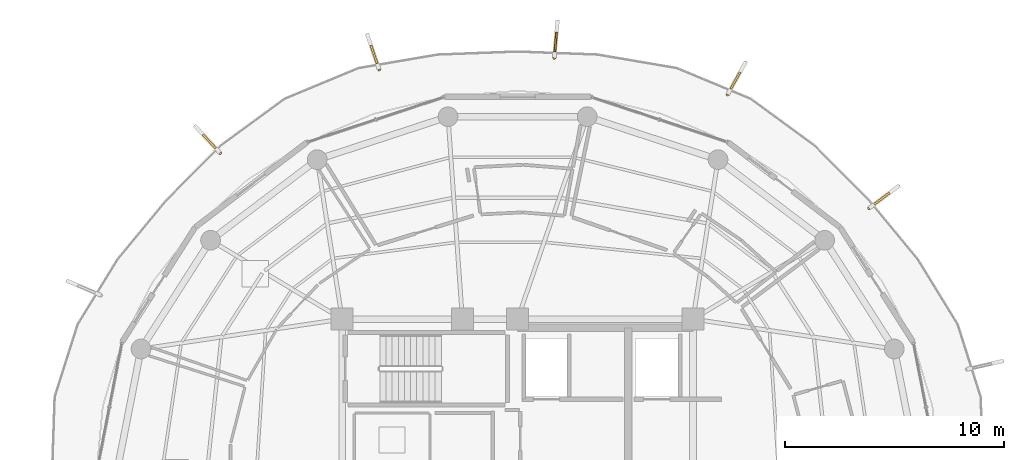
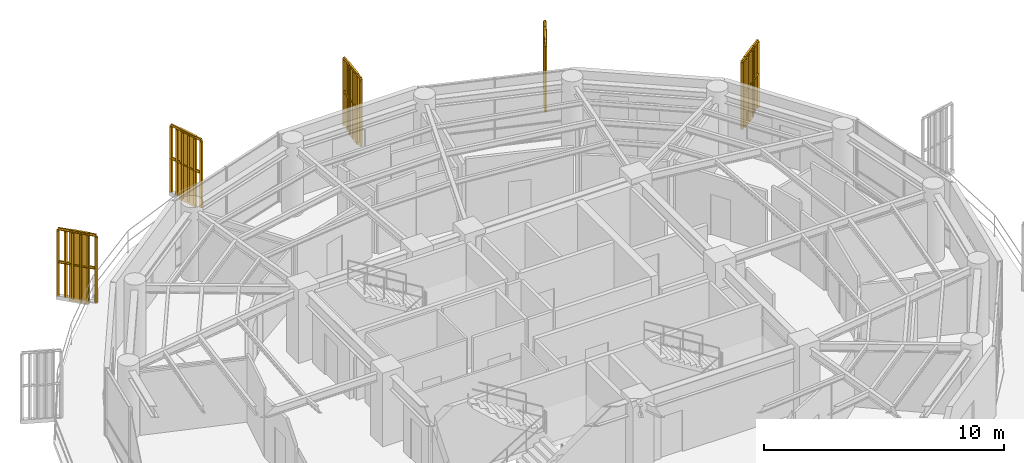
# One storey, part 23 of 23: 5 railings, 5 shading devices.
"""IFC4 building model written with IfcOpenShell, lengths in metres."""

from ifc_helpers import new_model, si_unit, direction, frame, origin, origin_2d, place, context, subcontext, project, spatial, polyline, rectangle, outline, extrude, source, transform, mapped, material, type_object, element, save


model = new_model("IFC4")

# Units and contexts
model_context = context("Model", 3, precision=1e-05, world=origin(), true_north=direction((0.0, 1.0)))
body_context = subcontext(model_context, "Body", "Model", "MODEL_VIEW")
ifc_project = project(units=[si_unit("LENGTHUNIT", "METRE"), si_unit("AREAUNIT", "SQUARE_METRE"), si_unit("VOLUMEUNIT", "CUBIC_METRE"), si_unit("PLANEANGLEUNIT", "RADIAN"), si_unit("MASSUNIT", "GRAM", prefix="KILO")], contexts=[model_context])

# Site, building, storey
site_placement = place(None, origin())
site = spatial("IfcSite", under=ifc_project, at=site_placement, CompositionType="ELEMENT")
building_placement = place(site_placement, origin())
building = spatial("IfcBuilding", under=site, at=building_placement, Name="Kelanora Arch Commons", CompositionType="ELEMENT")
storey_placement = place(building_placement, frame((0.0, 0.0, 252.449951171875)))
storey = spatial("IfcBuildingStorey", under=building, at=storey_placement, Name="L64", CompositionType="ELEMENT", Elevation=252.449951171875)

# Railings
ifc_material_1 = material(Name="Anodised bronze vertical shading fin rib assembly")
railing_type = type_object("IfcRailingType", Name="RAIL-FIN-BRZ", PredefinedType="BALUSTRADE", material=ifc_material_1)
railing_1_placement = place(storey_placement, frame((90.0361328125, 70.061279296875, -0.02001953125)))
element("IfcRailing", 1, at=railing_1_placement, inside=storey, type_object=railing_type, Name="Sweeping Bronze Vertical Fin Blade L64-03", PredefinedType="BALUSTRADE", context=body_context, shape_type="SweptSolid", body=[
    extrude(outline(polyline([(0.06982421875, 0.0), (0.034912109375, 0.060546875), (-0.034912109375, 0.060546875), (-0.06982421875, 0.0), (-0.034912109375, -0.060546875), (0.034912109375, -0.060546875), (0.06982421875, 0.0)])), frame((0.0, 0.0, 3.419921875), z_axis=(0.799169311125, 0.601105990784, 0.0), x_axis=(-0.601105990784, 0.799169311125, 0.0)), (0.0, 0.0, 1.0), 1.6591796875),
    extrude(outline(polyline([(0.06982421875, 0.0), (0.034912109375, 0.060546875), (-0.034912109375, 0.060546875), (-0.06982421875, 0.0), (-0.034912109375, -0.060546875), (0.034912109375, -0.060546875), (0.06982421875, 0.0)])), frame((0.0, 0.0, 1.7451171875), z_axis=(0.799169311125, 0.601105990784, 0.0), x_axis=(-0.601105990784, 0.799169311125, 0.0)), (0.0, 0.0, 1.0), 1.6591796875),
    extrude(outline(polyline([(0.080078125, 0.0), (0.0400390625, 0.0693359375), (-0.0400390625, 0.0693359375), (-0.080078125, 0.0), (-0.0400390625, -0.0693359375), (0.0400390625, -0.0693359375), (0.080078125, 0.0)])), origin(), (0.0, 0.0, 1.0), 3.35009765625),
    extrude(outline(polyline([(0.080078125, 0.0), (0.0400390625, 0.0693359375), (-0.0400390625, 0.0693359375), (-0.080078125, 0.0), (-0.0400390625, -0.0693359375), (0.0400390625, -0.0693359375), (0.080078125, 0.0)])), frame((0.26513671875, 0.199462890625, 0.0)), (0.0, 0.0, 1.0), 3.35009765625),
    extrude(outline(polyline([(0.080078125, 0.0), (0.0400390625, 0.0693359375), (-0.0400390625, 0.0693359375), (-0.080078125, 0.0), (-0.0400390625, -0.0693359375), (0.0400390625, -0.0693359375), (0.080078125, 0.0)])), frame((0.5302734375, 0.39892578125, 0.0)), (0.0, 0.0, 1.0), 3.35009765625),
    extrude(outline(polyline([(0.080078125, 0.0), (0.0400390625, 0.0693359375), (-0.0400390625, 0.0693359375), (-0.080078125, 0.0), (-0.0400390625, -0.0693359375), (0.0400390625, -0.0693359375), (0.080078125, 0.0)])), frame((0.795654296875, 0.598388671875, 0.0)), (0.0, 0.0, 1.0), 3.35009765625),
    extrude(outline(polyline([(0.080078125, 0.0), (0.0400390625, 0.0693359375), (-0.0400390625, 0.0693359375), (-0.080078125, 0.0), (-0.0400390625, -0.0693359375), (0.0400390625, -0.0693359375), (0.080078125, 0.0)])), frame((1.060791015625, 0.7978515625, 0.0)), (0.0, 0.0, 1.0), 3.35009765625),
    extrude(outline(polyline([(0.080078125, 0.0), (0.0400390625, 0.0693359375), (-0.0400390625, 0.0693359375), (-0.080078125, 0.0), (-0.0400390625, -0.0693359375), (0.0400390625, -0.0693359375), (0.080078125, 0.0)])), frame((1.325927734375, 0.997314453125, 0.0)), (0.0, 0.0, 1.0), 3.35009765625),
])
railing_2_placement = place(storey_placement, frame((83.580322265625, 75.24658203125, -0.02001953125)))
element("IfcRailing", 2, at=railing_2_placement, inside=storey, type_object=railing_type, Name="Sweeping Bronze Vertical Fin Blade L64-04", PredefinedType="BALUSTRADE", context=body_context, shape_type="SweptSolid", body=[
    extrude(outline(polyline([(0.06982421875, 0.0), (0.034912109375, 0.060546875), (-0.034912109375, 0.060546875), (-0.06982421875, 0.0), (-0.034912109375, -0.060546875), (0.034912109375, -0.060546875), (0.06982421875, 0.0)])), frame((0.0, 0.0, 3.419921875), z_axis=(0.485580462469, 0.874191978039, 0.0), x_axis=(-0.874191978039, 0.485580462469, 0.0)), (0.0, 0.0, 1.0), 1.6591796875),
    extrude(outline(polyline([(0.06982421875, 0.0), (0.034912109375, 0.060546875), (-0.034912109375, 0.060546875), (-0.06982421875, 0.0), (-0.034912109375, -0.060546875), (0.034912109375, -0.060546875), (0.06982421875, 0.0)])), frame((0.0, 0.0, 1.7451171875), z_axis=(0.485580462469, 0.874191978039, 0.0), x_axis=(-0.874191978039, 0.485580462469, 0.0)), (0.0, 0.0, 1.0), 1.6591796875),
    extrude(outline(polyline([(0.080078125, 0.0), (0.0400390625, 0.0693359375), (-0.0400390625, 0.0693359375), (-0.080078125, 0.0), (-0.0400390625, -0.0693359375), (0.0400390625, -0.0693359375), (0.080078125, 0.0)])), origin(), (0.0, 0.0, 1.0), 3.35009765625),
    extrude(outline(polyline([(0.080078125, 0.0), (0.0400390625, 0.0693359375), (-0.0400390625, 0.0693359375), (-0.080078125, 0.0), (-0.0400390625, -0.0693359375), (0.0400390625, -0.0693359375), (0.080078125, 0.0)])), frame((0.1611328125, 0.2900390625, 0.0)), (0.0, 0.0, 1.0), 3.35009765625),
    extrude(outline(polyline([(0.080078125, 0.0), (0.0400390625, 0.0693359375), (-0.0400390625, 0.0693359375), (-0.080078125, 0.0), (-0.0400390625, -0.0693359375), (0.0400390625, -0.0693359375), (0.080078125, 0.0)])), frame((0.322265625, 0.580078125, 0.0)), (0.0, 0.0, 1.0), 3.35009765625),
    extrude(outline(polyline([(0.080078125, 0.0), (0.0400390625, 0.0693359375), (-0.0400390625, 0.0693359375), (-0.080078125, 0.0), (-0.0400390625, -0.0693359375), (0.0400390625, -0.0693359375), (0.080078125, 0.0)])), frame((0.4833984375, 0.870361328125, 0.0)), (0.0, 0.0, 1.0), 3.35009765625),
    extrude(outline(polyline([(0.080078125, 0.0), (0.0400390625, 0.0693359375), (-0.0400390625, 0.0693359375), (-0.080078125, 0.0), (-0.0400390625, -0.0693359375), (0.0400390625, -0.0693359375), (0.080078125, 0.0)])), frame((0.64453125, 1.160400390625, 0.0)), (0.0, 0.0, 1.0), 3.35009765625),
    extrude(outline(polyline([(0.080078125, 0.0), (0.0400390625, 0.0693359375), (-0.0400390625, 0.0693359375), (-0.080078125, 0.0), (-0.0400390625, -0.0693359375), (0.0400390625, -0.0693359375), (0.080078125, 0.0)])), frame((0.8056640625, 1.450439453125, 0.0)), (0.0, 0.0, 1.0), 3.35009765625),
])
railing_3_placement = place(storey_placement, frame((75.672607421875, 76.91845703125, -0.02001953125)))
element("IfcRailing", 3, at=railing_3_placement, inside=storey, type_object=railing_type, Name="Sweeping Bronze Vertical Fin Blade L64-05", PredefinedType="BALUSTRADE", context=body_context, shape_type="SweptSolid", body=[
    extrude(outline(polyline([(0.06982421875, 0.0), (0.034912109375, 0.060546875), (-0.034912109375, 0.060546875), (-0.06982421875, 0.0), (-0.034912109375, -0.060546875), (0.034912109375, -0.060546875), (0.06982421875, 0.0)])), frame((0.0, 0.0, 3.419921875), z_axis=(0.087988281077, 0.996121509854, 0.0), x_axis=(-0.996121509854, 0.087988281077, 0.0)), (0.0, 0.0, 1.0), 1.6591796875),
    extrude(outline(polyline([(0.06982421875, 0.0), (0.034912109375, 0.060546875), (-0.034912109375, 0.060546875), (-0.06982421875, 0.0), (-0.034912109375, -0.060546875), (0.034912109375, -0.060546875), (0.06982421875, 0.0)])), frame((0.0, 0.0, 1.7451171875), z_axis=(0.087988281077, 0.996121509854, 0.0), x_axis=(-0.996121509854, 0.087988281077, 0.0)), (0.0, 0.0, 1.0), 1.6591796875),
    extrude(outline(polyline([(0.080078125, 0.0), (0.0400390625, 0.0693359375), (-0.0400390625, 0.0693359375), (-0.080078125, 0.0), (-0.0400390625, -0.0693359375), (0.0400390625, -0.0693359375), (0.080078125, 0.0)])), origin(), (0.0, 0.0, 1.0), 3.35009765625),
    extrude(outline(polyline([(0.080078125, 0.0), (0.0400390625, 0.0693359375), (-0.0400390625, 0.0693359375), (-0.080078125, 0.0), (-0.0400390625, -0.0693359375), (0.0400390625, -0.0693359375), (0.080078125, 0.0)])), frame((0.029296875, 0.33056640625, 0.0)), (0.0, 0.0, 1.0), 3.35009765625),
    extrude(outline(polyline([(0.080078125, 0.0), (0.0400390625, 0.0693359375), (-0.0400390625, 0.0693359375), (-0.080078125, 0.0), (-0.0400390625, -0.0693359375), (0.0400390625, -0.0693359375), (0.080078125, 0.0)])), frame((0.058349609375, 0.6611328125, 0.0)), (0.0, 0.0, 1.0), 3.35009765625),
    extrude(outline(polyline([(0.080078125, 0.0), (0.0400390625, 0.0693359375), (-0.0400390625, 0.0693359375), (-0.080078125, 0.0), (-0.0400390625, -0.0693359375), (0.0400390625, -0.0693359375), (0.080078125, 0.0)])), frame((0.087646484375, 0.99169921875, 0.0)), (0.0, 0.0, 1.0), 3.35009765625),
    extrude(outline(polyline([(0.080078125, 0.0), (0.0400390625, 0.0693359375), (-0.0400390625, 0.0693359375), (-0.080078125, 0.0), (-0.0400390625, -0.0693359375), (0.0400390625, -0.0693359375), (0.080078125, 0.0)])), frame((0.11669921875, 1.322265625, 0.0)), (0.0, 0.0, 1.0), 3.35009765625),
    extrude(outline(polyline([(0.080078125, 0.0), (0.0400390625, 0.0693359375), (-0.0400390625, 0.0693359375), (-0.080078125, 0.0), (-0.0400390625, -0.0693359375), (0.0400390625, -0.0693359375), (0.080078125, 0.0)])), frame((0.14599609375, 1.65283203125, 0.0)), (0.0, 0.0, 1.0), 3.35009765625),
])
railing_4_placement = place(storey_placement, frame((67.68701171875, 76.388671875, -0.02001953125)))
element("IfcRailing", 4, at=railing_4_placement, inside=storey, type_object=railing_type, Name="Sweeping Bronze Vertical Fin Blade L64-06", PredefinedType="BALUSTRADE", context=body_context, shape_type="SweptSolid", body=[
    extrude(outline(polyline([(0.06982421875, 0.0), (0.034912109375, 0.060546875), (-0.034912109375, 0.060546875), (-0.06982421875, 0.0), (-0.034912109375, -0.060546875), (0.034912109375, -0.060546875), (0.06982421875, 0.0)])), frame((0.0, 0.0, 3.419921875), z_axis=(-0.324734325107, 0.945805274936, 0.0), x_axis=(-0.945805274936, -0.324734325107, 0.0)), (0.0, 0.0, 1.0), 1.6591796875),
    extrude(outline(polyline([(0.06982421875, 0.0), (0.034912109375, 0.060546875), (-0.034912109375, 0.060546875), (-0.06982421875, 0.0), (-0.034912109375, -0.060546875), (0.034912109375, -0.060546875), (0.06982421875, 0.0)])), frame((0.0, 0.0, 1.7451171875), z_axis=(-0.324734325107, 0.945805274936, 0.0), x_axis=(-0.945805274936, -0.324734325107, 0.0)), (0.0, 0.0, 1.0), 1.6591796875),
    extrude(outline(polyline([(0.080078125, 0.0), (0.0400390625, 0.0693359375), (-0.0400390625, 0.0693359375), (-0.080078125, 0.0), (-0.0400390625, -0.0693359375), (0.0400390625, -0.0693359375), (0.080078125, 0.0)])), origin(), (0.0, 0.0, 1.0), 3.35009765625),
    extrude(outline(polyline([(0.080078125, 0.0), (0.0400390625, 0.0693359375), (-0.0400390625, 0.0693359375), (-0.080078125, 0.0), (-0.0400390625, -0.0693359375), (0.0400390625, -0.0693359375), (0.080078125, 0.0)])), frame((-0.107666015625, 0.31396484375, 0.0)), (0.0, 0.0, 1.0), 3.35009765625),
    extrude(outline(polyline([(0.080078125, 0.0), (0.0400390625, 0.0693359375), (-0.0400390625, 0.0693359375), (-0.080078125, 0.0), (-0.0400390625, -0.0693359375), (0.0400390625, -0.0693359375), (0.080078125, 0.0)])), frame((-0.215576171875, 0.627685546875, 0.0)), (0.0, 0.0, 1.0), 3.35009765625),
    extrude(outline(polyline([(0.080078125, 0.0), (0.0400390625, 0.0693359375), (-0.0400390625, 0.0693359375), (-0.080078125, 0.0), (-0.0400390625, -0.0693359375), (0.0400390625, -0.0693359375), (0.080078125, 0.0)])), frame((-0.3232421875, 0.941650390625, 0.0)), (0.0, 0.0, 1.0), 3.35009765625),
    extrude(outline(polyline([(0.080078125, 0.0), (0.0400390625, 0.0693359375), (-0.0400390625, 0.0693359375), (-0.080078125, 0.0), (-0.0400390625, -0.0693359375), (0.0400390625, -0.0693359375), (0.080078125, 0.0)])), frame((-0.43115234375, 1.25537109375, 0.0)), (0.0, 0.0, 1.0), 3.35009765625),
    extrude(outline(polyline([(0.080078125, 0.0), (0.0400390625, 0.0693359375), (-0.0400390625, 0.0693359375), (-0.080078125, 0.0), (-0.0400390625, -0.0693359375), (0.0400390625, -0.0693359375), (0.080078125, 0.0)])), frame((-0.538818359375, 1.5693359375, 0.0)), (0.0, 0.0, 1.0), 3.35009765625),
])
railing_5_placement = place(storey_placement, frame((60.429931640625, 72.57861328125, -0.02001953125)))
element("IfcRailing", 5, at=railing_5_placement, inside=storey, type_object=railing_type, Name="Sweeping Bronze Vertical Fin Blade L64-07", PredefinedType="BALUSTRADE", context=body_context, shape_type="SweptSolid", body=[
    extrude(outline(polyline([(0.06982421875, 0.0), (0.034912109375, 0.060546875), (-0.034912109375, 0.060546875), (-0.06982421875, 0.0), (-0.034912109375, -0.060546875), (0.034912109375, -0.060546875), (0.06982421875, 0.0)])), frame((0.0, 0.0, 3.419921875), z_axis=(-0.681347866016, 0.731959756732, 0.0), x_axis=(-0.731959756732, -0.681347866016, 0.0)), (0.0, 0.0, 1.0), 1.659423828125),
    extrude(outline(polyline([(0.06982421875, 0.0), (0.034912109375, 0.060546875), (-0.034912109375, 0.060546875), (-0.06982421875, 0.0), (-0.034912109375, -0.060546875), (0.034912109375, -0.060546875), (0.06982421875, 0.0)])), frame((0.0, 0.0, 1.7451171875), z_axis=(-0.681347866016, 0.731959756732, 0.0), x_axis=(-0.731959756732, -0.681347866016, 0.0)), (0.0, 0.0, 1.0), 1.659423828125),
    extrude(outline(polyline([(0.080078125, 0.0), (0.0400390625, 0.0693359375), (-0.0400390625, 0.0693359375), (-0.080078125, 0.0), (-0.0400390625, -0.0693359375), (0.0400390625, -0.0693359375), (0.080078125, 0.0)])), origin(), (0.0, 0.0, 1.0), 3.35009765625),
    extrude(outline(polyline([(0.080078125, 0.0), (0.0400390625, 0.0693359375), (-0.0400390625, 0.0693359375), (-0.080078125, 0.0), (-0.0400390625, -0.0693359375), (0.0400390625, -0.0693359375), (0.080078125, 0.0)])), frame((-0.22607421875, 0.242919921875, 0.0)), (0.0, 0.0, 1.0), 3.35009765625),
    extrude(outline(polyline([(0.080078125, 0.0), (0.0400390625, 0.0693359375), (-0.0400390625, 0.0693359375), (-0.080078125, 0.0), (-0.0400390625, -0.0693359375), (0.0400390625, -0.0693359375), (0.080078125, 0.0)])), frame((-0.4521484375, 0.48583984375, 0.0)), (0.0, 0.0, 1.0), 3.35009765625),
    extrude(outline(polyline([(0.080078125, 0.0), (0.0400390625, 0.0693359375), (-0.0400390625, 0.0693359375), (-0.080078125, 0.0), (-0.0400390625, -0.0693359375), (0.0400390625, -0.0693359375), (0.080078125, 0.0)])), frame((-0.678466796875, 0.728759765625, 0.0)), (0.0, 0.0, 1.0), 3.35009765625),
    extrude(outline(polyline([(0.080078125, 0.0), (0.0400390625, 0.0693359375), (-0.0400390625, 0.0693359375), (-0.080078125, 0.0), (-0.0400390625, -0.0693359375), (0.0400390625, -0.0693359375), (0.080078125, 0.0)])), frame((-0.904541015625, 0.9716796875, 0.0)), (0.0, 0.0, 1.0), 3.35009765625),
    extrude(outline(polyline([(0.080078125, 0.0), (0.0400390625, 0.0693359375), (-0.0400390625, 0.0693359375), (-0.080078125, 0.0), (-0.0400390625, -0.0693359375), (0.0400390625, -0.0693359375), (0.080078125, 0.0)])), frame((-1.130615234375, 1.214599609375, 0.0)), (0.0, 0.0, 1.0), 3.35009765625),
])

# Shading devices
ifc_material_2 = material(Name="Terracotta ceramic-clad extruded aluminium fin", Category="masonry")
shading_device_type = type_object("IfcShadingDeviceType", Name="SHD-FIN-FLARE", PredefinedType="USERDEFINED", material=ifc_material_2)
shared_shape = source(origin(), body_context, "Body", "SweptSolid", [
    extrude(rectangle(XDim=0.8798828125, YDim=0.090087890625, at=origin_2d()), origin(), (0.0, 0.0, 1.0), 3.610107421875),
])
for number, where, z_axis, x_axis, name in (
    (6, (90.611572265625, 70.494140625, -0.14013671875), (0.0, 0.0, 1.0), (0.799160388565, 0.601117853128, 0.0), "Sweeping Terracotta Fin L64-03"),
    (7, (83.929931640625, 75.8759765625, -0.14013671875), (0.0, 0.0, 1.0), (0.485572685227, 0.874196297957, 0.0), "Sweeping Terracotta Fin L64-04"),
    (8, (75.73583984375, 77.6357421875, -0.14013671875), (0.0, 0.0, 1.0), (0.088025053325, 0.996118261045, 0.0), "Sweeping Terracotta Fin L64-05"),
    (9, (67.453125, 77.069580078125, -0.14013671875), (0.0, 0.0, 1.0), (-0.324742909981, 0.945802327348, 0.0), "Sweeping Terracotta Fin L64-06"),
    (10, (59.939208984375, 73.105712890625, -0.14013671875), (0.0, 0.0, 1.0), (-0.681359873953, 0.731948578909, 0.0), "Sweeping Terracotta Fin L64-07"),
):
    element("IfcShadingDevice", number, at=place(storey_placement, frame(where, z_axis=z_axis, x_axis=x_axis)), inside=storey, type_object=shading_device_type, Name=name, ObjectType="FIN", PredefinedType="USERDEFINED", context=body_context, shape_type="MappedRepresentation", body=[
        mapped(shared_shape, transform((0.0, 0.0, 0.0), scale=1.0)),
    ])

save(model, "model.ifc")
